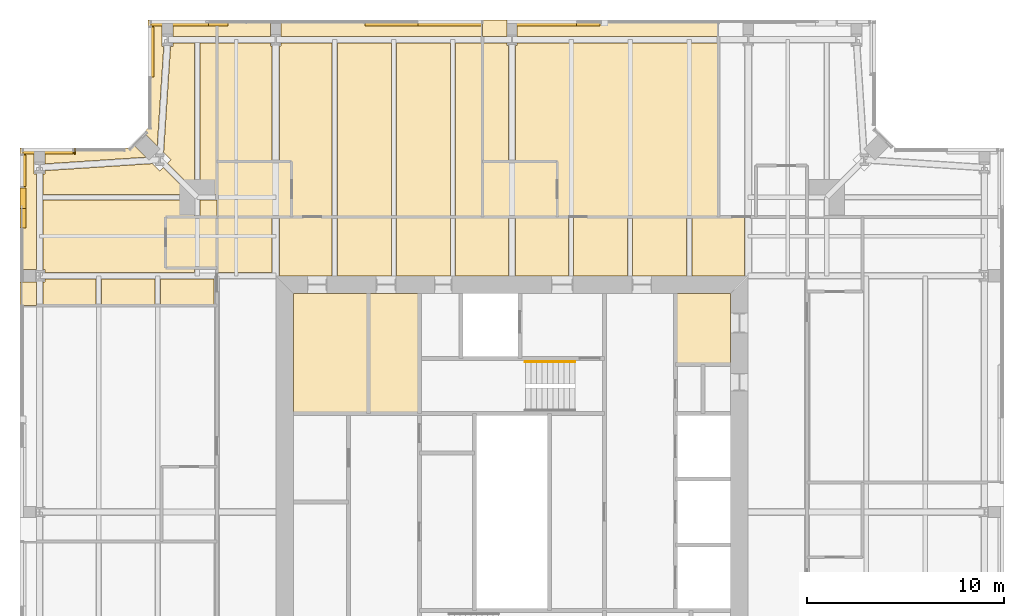
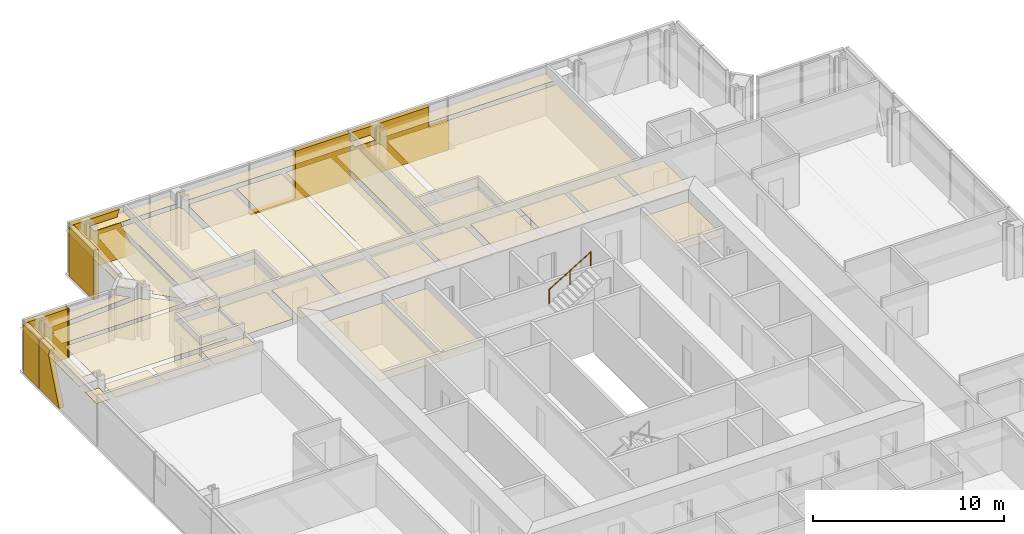
# One storey, part 18 of 20: 47 coverings, 1 railing.
"""IFC4 building model written with IfcOpenShell, lengths in metres."""

from ifc_helpers import new_model, si_unit, direction, frame, origin, origin_2d, place, context, subcontext, project, spatial, polyline, circle, outline, extrude, material, layer, layer_set, type_object, element, save


model = new_model("IFC4")

# Units and contexts
model_context = context("Model", 3, precision=1e-05, world=origin(), true_north=direction((0.0, 1.0)))
body_context = subcontext(model_context, "Body", "Model", "MODEL_VIEW")
ifc_project = project(units=[si_unit("LENGTHUNIT", "METRE"), si_unit("AREAUNIT", "SQUARE_METRE"), si_unit("VOLUMEUNIT", "CUBIC_METRE"), si_unit("PLANEANGLEUNIT", "RADIAN"), si_unit("MASSUNIT", "GRAM", prefix="KILO")], contexts=[model_context])

# Site, building, storey
site_placement = place(None, origin())
site = spatial("IfcSite", under=ifc_project, at=site_placement, CompositionType="ELEMENT")
building_placement = place(site_placement, origin())
building = spatial("IfcBuilding", under=site, at=building_placement, Name="Fenwick Lantern Interchange", CompositionType="ELEMENT")
storey_placement = place(building_placement, frame((0.0, 0.0, 279.800048828125)))
storey = spatial("IfcBuildingStorey", under=building, at=storey_placement, Name="L67", CompositionType="ELEMENT", Elevation=279.800048828125)

# Coverings
ifc_material_1 = material(Name="Granite cladding, warm grey flamed finish, on aluminium carrier frame", Category="masonry")
ifc_layer_1 = layer(ifc_material_1, 0.300048828125)
ifc_layer_set_1 = layer_set([ifc_layer_1], Name="BRACE CASING PANEL 300")
covering_type_1 = type_object("IfcCoveringType", Name="BRACE CASING PANEL 300", PredefinedType="CLADDING", material=ifc_layer_set_1)
covering_1_placement = place(storey_placement, frame((43.39990234375, 49.89990234375, 0.0), z_axis=(0.0, 0.0, 1.0), x_axis=(-1.0, 0.0, 0.0)))
element("IfcCovering", 1, at=covering_1_placement, inside=storey, type_object=covering_type_1, Name="Brace casing 09 bay 03a", PredefinedType="CLADDING", context=body_context, shape_type="SweptSolid", body=[
    extrude(outline(polyline([(13.929931640625, 0.0), (19.8701171875, 0.0), (19.8701171875, 3.14990234375), (15.1201171875, 3.14990234375), (15.1201171875, 1.797119140625), (13.929931640625, 1.797119140625), (13.929931640625, 0.0)])), frame((0.0, 0.2099609375, 0.0), z_axis=(0.0, -1.0, 0.0), x_axis=(1.0, 0.0, 0.0)), (0.0, 0.0, 1.0), 0.300048828125),
])
covering_2_placement = place(storey_placement, frame((43.39990234375, 49.89990234375, 0.0), z_axis=(0.0, 0.0, 1.0), x_axis=(-1.0, 0.0, 0.0)))
element("IfcCovering", 2, at=covering_2_placement, inside=storey, type_object=covering_type_1, Name="Brace casing 09 bay 04a", PredefinedType="CLADDING", context=body_context, shape_type="SweptSolid", body=[
    extrude(outline(polyline([(19.929931640625, 0.0), (25.8701171875, 0.0), (25.8701171875, 0.09765625), (23.179443359375, 0.09765625), (23.179443359375, 3.14990234375), (19.929931640625, 3.14990234375), (19.929931640625, 0.0)])), frame((0.0, 0.2099609375, 0.0), z_axis=(0.0, -1.0, 0.0), x_axis=(1.0, 0.0, 0.0)), (0.0, 0.0, 1.0), 0.300048828125),
])
covering_3_placement = place(storey_placement, frame((43.39990234375, 49.89990234375, 0.0), z_axis=(0.0, 0.0, 1.0), x_axis=(-1.0, 0.0, 0.0)))
element("IfcCovering", 3, at=covering_3_placement, inside=storey, type_object=covering_type_1, Name="Brace casing 09 bay 06a", PredefinedType="CLADDING", context=body_context, shape_type="SweptSolid", body=[
    extrude(outline(polyline([(32.828369140625, 0.0), (36.739990234375, 0.0), (36.739990234375, 3.14990234375), (33.810791015625, 3.14990234375), (33.957275390625, 2.791015625), (32.828369140625, 0.0)])), frame((0.0, 0.2099609375, 0.0), z_axis=(0.0, -1.0, 0.0), x_axis=(1.0, 0.0, 0.0)), (0.0, 0.0, 1.0), 0.300048828125),
])
covering_4_placement = place(storey_placement, frame((6.60009765625, 49.89990234375, 0.0), z_axis=(0.0, 0.0, 1.0), x_axis=(0.0, -1.0, 0.0)))
element("IfcCovering", 4, at=covering_4_placement, inside=storey, type_object=covering_type_1, Name="Brace casing 10 bay 00a", PredefinedType="CLADDING", context=body_context, shape_type="SweptSolid", body=[
    extrude(outline(polyline([(0.260009765625, 0.0), (2.790771484375, 0.0), (2.790771484375, 3.14990234375), (0.260009765625, 3.14990234375), (0.260009765625, 0.0)])), frame((0.0, 0.2099609375, 0.0), z_axis=(0.0, -1.0, 0.0), x_axis=(1.0, 0.0, 0.0)), (0.0, 0.0, 1.0), 0.300048828125),
])
covering_5_placement = place(storey_placement, frame((5.54150390625, 43.39990234375, 0.0), z_axis=(0.0, 0.0, 1.0), x_axis=(-1.0, 0.0, 0.0)))
element("IfcCovering", 5, at=covering_5_placement, inside=storey, type_object=covering_type_1, Name="Brace casing 12 bay 00a", PredefinedType="CLADDING", context=body_context, shape_type="SweptSolid", body=[
    extrude(outline(polyline([(2.741455078125, 0.0), (2.790771484375, 0.0), (2.790771484375, 3.14990234375), (2.741455078125, 3.14990234375), (2.741455078125, 0.0)])), frame((0.0, 0.2099609375, 0.0), z_axis=(0.0, -1.0, 0.0), x_axis=(1.0, 0.0, 0.0)), (0.0, 0.0, 1.0), 0.300048828125),
])
covering_6_placement = place(storey_placement, frame((5.54150390625, 43.39990234375, 0.0), z_axis=(0.0, 0.0, 1.0), x_axis=(-1.0, 0.0, 0.0)))
element("IfcCovering", 6, at=covering_6_placement, inside=storey, type_object=covering_type_1, Name="Brace casing 12 bay 01a", PredefinedType="CLADDING", context=body_context, shape_type="SweptSolid", body=[
    extrude(outline(polyline([(2.850830078125, 0.0), (5.38134765625, 0.0), (5.38134765625, 3.14990234375), (2.850830078125, 3.14990234375), (2.850830078125, 0.0)])), frame((0.0, 0.2099609375, 0.0), z_axis=(0.0, -1.0, 0.0), x_axis=(1.0, 0.0, 0.0)), (0.0, 0.0, 1.0), 0.300048828125),
])
covering_7_placement = place(storey_placement, frame((0.10009765625, 43.39990234375, 0.0), z_axis=(0.0, 0.0, 1.0), x_axis=(0.0, -1.0, 0.0)))
element("IfcCovering", 7, at=covering_7_placement, inside=storey, type_object=covering_type_1, Name="Brace casing 13 bay 00a", PredefinedType="CLADDING", context=body_context, shape_type="SweptSolid", body=[
    extrude(outline(polyline([(0.260009765625, 0.0), (1.8701171875, 0.0), (1.8701171875, 3.14990234375), (0.260009765625, 3.14990234375), (0.260009765625, 0.0)])), frame((0.0, 0.2099609375, 0.0), z_axis=(0.0, -1.0, 0.0), x_axis=(1.0, 0.0, 0.0)), (0.0, 0.0, 1.0), 0.300048828125),
])
covering_8_placement = place(storey_placement, frame((0.10009765625, 43.39990234375, 0.0), z_axis=(0.0, 0.0, 1.0), x_axis=(0.0, -1.0, 0.0)))
element("IfcCovering", 8, at=covering_8_placement, inside=storey, type_object=covering_type_1, Name="Brace casing 13 bay 01a", PredefinedType="CLADDING", context=body_context, shape_type="SweptSolid", body=[
    extrude(outline(polyline([(1.929931640625, 0.0), (3.971435546875, 0.0), (2.8427734375, 2.791015625), (2.9892578125, 3.14990234375), (1.929931640625, 3.14990234375), (1.929931640625, 0.0)])), frame((0.0, 0.2099609375, 0.0), z_axis=(0.0, -1.0, 0.0), x_axis=(1.0, 0.0, 0.0)), (0.0, 0.0, 1.0), 0.300048828125),
])

# Railing
ifc_material_2 = material(Name="Stainless steel handrail", Category="steel")
railing_type = type_object("IfcRailingType", Name="HANDRAIL 900", PredefinedType="HANDRAIL", material=ifc_material_2)
railing_placement = place(storey_placement, frame((25.679931640625, 32.6259765625, 1.869873046875)))
element("IfcRailing", 9, at=railing_placement, inside=storey, type_object=railing_type, Name="L67/STAIR/ST2/HR2", PredefinedType="HANDRAIL", context=body_context, shape_type="SweptSolid", body=[
    extrude(circle(Radius=0.02392578125, at=origin_2d()), frame((0.0, 0.0, 0.8759765625), z_axis=(0.85478489116, 0.0, 0.518982456201), x_axis=(0.0, 1.0, 0.0)), (0.0, 0.0, 1.0), 2.9482421875),
    extrude(circle(Radius=0.02099609375, at=origin_2d()), origin(), (0.0, 0.0, 1.0), 0.851806640625),
    extrude(circle(Radius=0.02099609375, at=origin_2d()), frame((1.260009765625, 0.0, 0.76513671875)), (0.0, 0.0, 1.0), 0.851806640625),
    extrude(circle(Radius=0.02099609375, at=origin_2d()), frame((2.52001953125, 0.0, 1.530029296875)), (0.0, 0.0, 1.0), 0.851806640625),
])

# Coverings
ifc_material_3 = material(Name="Moisture resistant gypsum board on suspended frame, painted")
ifc_layer_2 = layer(ifc_material_3, 0.014892578125)
ifc_layer_set_2 = layer_set([ifc_layer_2], Name="MOISTURE RESISTANT CEILING 15")
covering_type_2 = type_object("IfcCoveringType", Name="MOISTURE RESISTANT CEILING 15", PredefinedType="CEILING", material=ifc_layer_set_2)
covering_9_placement = place(storey_placement, frame((0.0, 0.0, 2.599853515625)))
element("IfcCovering", 10, at=covering_9_placement, inside=storey, type_object=covering_type_2, Name="Men's WC ceiling", PredefinedType="CEILING", context=body_context, shape_type="SweptSolid", body=[
    extrude(outline(polyline([(20.300048828125, 36.10009765625), (17.699951171875, 36.10009765625), (17.699951171875, 30.0), (20.300048828125, 30.0), (20.300048828125, 36.10009765625)])), origin(), (0.0, 0.0, 1.0), 0.01513671875),
])
covering_10_placement = place(storey_placement, frame((0.0, 0.0, 2.599853515625)))
element("IfcCovering", 11, at=covering_10_placement, inside=storey, type_object=covering_type_2, Name="Women's WC ceiling", PredefinedType="CEILING", context=body_context, shape_type="SweptSolid", body=[
    extrude(outline(polyline([(17.699951171875, 36.10009765625), (13.89990234375, 36.10009765625), (13.89990234375, 30.0), (17.699951171875, 30.0), (17.699951171875, 36.10009765625)])), origin(), (0.0, 0.0, 1.0), 0.01513671875),
])
covering_11_placement = place(storey_placement, frame((0.0, 0.0, 2.599853515625)))
element("IfcCovering", 12, at=covering_11_placement, inside=storey, type_object=covering_type_2, Name="Accessible WC and shower ceiling", PredefinedType="CEILING", context=body_context, shape_type="SweptSolid", body=[
    extrude(outline(polyline([(36.10009765625, 36.10009765625), (33.300048828125, 36.10009765625), (33.300048828125, 32.5), (36.10009765625, 32.5), (36.10009765625, 36.10009765625)])), origin(), (0.0, 0.0, 1.0), 0.01513671875),
])
covering_12_placement = place(storey_placement, frame((0.0, 0.0, 2.39990234375)))
element("IfcCovering", 13, at=covering_12_placement, inside=storey, type_object=covering_type_2, Name="En-suite 6709 ceiling", PredefinedType="CEILING", context=body_context, shape_type="SweptSolid", body=[
    extrude(outline(polyline([(27.300048828125, 42.800048828125), (23.5, 42.800048828125), (23.5, 40.0), (27.300048828125, 40.0), (27.300048828125, 42.800048828125)])), origin(), (0.0, 0.0, 1.0), 0.01513671875),
])
covering_13_placement = place(storey_placement, frame((0.0, 0.0, 2.39990234375)))
element("IfcCovering", 14, at=covering_13_placement, inside=storey, type_object=covering_type_2, Name="En-suite 6710 ceiling", PredefinedType="CEILING", context=body_context, shape_type="SweptSolid", body=[
    extrude(outline(polyline([(13.800048828125, 42.800048828125), (10.0, 42.800048828125), (10.0, 40.0), (13.800048828125, 40.0), (13.800048828125, 42.800048828125)])), origin(), (0.0, 0.0, 1.0), 0.01513671875),
])
covering_14_placement = place(storey_placement, frame((0.0, 0.0, 2.39990234375)))
element("IfcCovering", 15, at=covering_14_placement, inside=storey, type_object=covering_type_2, Name="En-suite 6711 ceiling", PredefinedType="CEILING", context=body_context, shape_type="SweptSolid", body=[
    extrude(outline(polyline([(7.39990234375, 40.0), (7.39990234375, 37.39990234375), (10.0, 37.39990234375), (10.0, 40.0), (7.39990234375, 40.0)])), origin(), (0.0, 0.0, 1.0), 0.01513671875),
])
ifc_material_4 = material(Name="Gypsum plasterboard on suspended frame, painted")
ifc_layer_3 = layer(ifc_material_4, 0.014892578125)
ifc_layer_set_3 = layer_set([ifc_layer_3], Name="PLASTERBOARD CEILING 15")
covering_type_3 = type_object("IfcCoveringType", Name="PLASTERBOARD CEILING 15", PredefinedType="CEILING", material=ifc_layer_set_3)
covering_15_placement = place(storey_placement, frame((0.0, 0.0, 2.599853515625)))
element("IfcCovering", 16, at=covering_15_placement, inside=storey, type_object=covering_type_3, Name="Corridor ceiling", PredefinedType="CEILING", context=body_context, shape_type="SweptSolid", body=[
    extrude(outline(polyline([(18.865478515625, 40.0), (16.134521484375, 40.0), (16.134521484375, 37.0), (18.865478515625, 37.0), (18.865478515625, 40.0)])), origin(), (0.0, 0.0, 1.0), 0.01513671875),
])
covering_16_placement = place(storey_placement, frame((0.0, 0.0, 2.599853515625)))
element("IfcCovering", 17, at=covering_16_placement, inside=storey, type_object=covering_type_3, Name="Corridor ceiling", PredefinedType="CEILING", context=body_context, shape_type="SweptSolid", body=[
    extrude(outline(polyline([(21.865478515625, 40.0), (19.134521484375, 40.0), (19.134521484375, 37.0), (21.865478515625, 37.0), (21.865478515625, 40.0)])), origin(), (0.0, 0.0, 1.0), 0.01513671875),
])
covering_17_placement = place(storey_placement, frame((0.0, 0.0, 2.599853515625)))
element("IfcCovering", 18, at=covering_17_placement, inside=storey, type_object=covering_type_3, Name="Corridor ceiling", PredefinedType="CEILING", context=body_context, shape_type="SweptSolid", body=[
    extrude(outline(polyline([(30.865478515625, 40.0), (28.134521484375, 40.0), (28.134521484375, 37.0), (30.865478515625, 37.0), (30.865478515625, 40.0)])), origin(), (0.0, 0.0, 1.0), 0.01513671875),
])
covering_18_placement = place(storey_placement, frame((0.0, 0.0, 2.599853515625)))
element("IfcCovering", 19, at=covering_18_placement, inside=storey, type_object=covering_type_3, Name="Corridor ceiling", PredefinedType="CEILING", context=body_context, shape_type="SweptSolid", body=[
    extrude(outline(polyline([(33.865478515625, 40.0), (31.134521484375, 40.0), (31.134521484375, 37.0), (33.865478515625, 37.0), (33.865478515625, 40.0)])), origin(), (0.0, 0.0, 1.0), 0.01513671875),
])
covering_19_placement = place(storey_placement, frame((0.0, 0.0, 2.599853515625)))
element("IfcCovering", 20, at=covering_19_placement, inside=storey, type_object=covering_type_3, Name="Corridor ceiling", PredefinedType="CEILING", context=body_context, shape_type="SweptSolid", body=[
    extrude(outline(polyline([(15.865478515625, 40.0), (13.183837890625, 40.0), (13.183837890625, 37.0), (15.865478515625, 37.0), (15.865478515625, 40.0)])), origin(), (0.0, 0.0, 1.0), 0.01513671875),
])
covering_20_placement = place(storey_placement, frame((0.0, 0.0, 2.599853515625)))
element("IfcCovering", 21, at=covering_20_placement, inside=storey, type_object=covering_type_3, Name="Corridor ceiling", PredefinedType="CEILING", context=body_context, shape_type="SweptSolid", body=[
    extrude(outline(polyline([(24.816162109375, 40.0), (22.134521484375, 40.0), (22.134521484375, 37.0), (24.816162109375, 37.0), (24.816162109375, 40.0)])), origin(), (0.0, 0.0, 1.0), 0.01513671875),
])
covering_21_placement = place(storey_placement, frame((0.0, 0.0, 2.599853515625)))
element("IfcCovering", 22, at=covering_21_placement, inside=storey, type_object=covering_type_3, Name="Corridor ceiling", PredefinedType="CEILING", context=body_context, shape_type="SweptSolid", body=[
    extrude(outline(polyline([(27.865478515625, 40.0), (25.183837890625, 40.0), (25.183837890625, 37.0), (27.865478515625, 37.0), (27.865478515625, 40.0)])), origin(), (0.0, 0.0, 1.0), 0.01513671875),
])
covering_22_placement = place(storey_placement, frame((0.0, 0.0, 2.599853515625)))
element("IfcCovering", 23, at=covering_22_placement, inside=storey, type_object=covering_type_3, Name="Corridor ceiling", PredefinedType="CEILING", context=body_context, shape_type="SweptSolid", body=[
    extrude(outline(polyline([(36.816162109375, 40.0), (34.134521484375, 40.0), (34.134521484375, 37.0), (36.816162109375, 37.0), (36.816162109375, 40.0)])), origin(), (0.0, 0.0, 1.0), 0.01513671875),
])
covering_23_placement = place(storey_placement, frame((0.0, 0.0, 2.599853515625)))
element("IfcCovering", 24, at=covering_23_placement, inside=storey, type_object=covering_type_3, Name="Corridor ceiling", PredefinedType="CEILING", context=body_context, shape_type="SweptSolid", body=[
    extrude(outline(polyline([(12.816162109375, 40.0), (10.0, 40.0), (10.0, 37.166015625), (12.816162109375, 37.166015625), (12.816162109375, 40.0)])), origin(), (0.0, 0.0, 1.0), 0.01513671875),
])
covering_24_placement = place(storey_placement, frame((0.0, 0.0, 2.57275390625)))
element("IfcCovering", 25, at=covering_24_placement, inside=storey, type_object=covering_type_3, Name="Guest suite 6709 ceiling", PredefinedType="CEILING", context=body_context, shape_type="SweptSolid", body=[
    extrude(outline(polyline([(25.26220703125, 48.71240234375), (25.183837890625, 48.71240234375), (25.183837890625, 42.800048828125), (27.300048828125, 42.800048828125), (27.300048828125, 40.0), (35.5, 40.0), (35.5, 48.82763671875), (25.26220703125, 48.82763671875), (25.26220703125, 48.71240234375)])), origin(), (0.0, 0.0, 1.0), 0.01513671875),
])
covering_25_placement = place(storey_placement, frame((0.0, 0.0, 2.57275390625)))
element("IfcCovering", 26, at=covering_25_placement, inside=storey, type_object=covering_type_3, Name="Guest suite 6709 ceiling", PredefinedType="CEILING", context=body_context, shape_type="SweptSolid", body=[
    extrude(outline(polyline([(25.26220703125, 50.0), (25.26220703125, 49.17236328125), (35.5, 49.17236328125), (35.5, 50.0), (25.26220703125, 50.0)])), origin(), (0.0, 0.0, 1.0), 0.01513671875),
])
covering_26_placement = place(storey_placement, frame((0.0, 0.0, 2.57275390625)))
element("IfcCovering", 27, at=covering_26_placement, inside=storey, type_object=covering_type_3, Name="Guest suite 6709 ceiling", PredefinedType="CEILING", context=body_context, shape_type="SweptSolid", body=[
    extrude(outline(polyline([(24.73779296875, 48.71240234375), (24.73779296875, 48.82763671875), (23.5, 48.82763671875), (23.5, 42.800048828125), (24.816162109375, 42.800048828125), (24.816162109375, 48.71240234375), (24.73779296875, 48.71240234375)])), origin(), (0.0, 0.0, 1.0), 0.01513671875),
])
covering_27_placement = place(storey_placement, frame((0.0, 0.0, 2.57275390625)))
element("IfcCovering", 28, at=covering_27_placement, inside=storey, type_object=covering_type_3, Name="Guest suite 6709 ceiling", PredefinedType="CEILING", context=body_context, shape_type="SweptSolid", body=[
    extrude(outline(polyline([(24.73779296875, 49.17236328125), (24.73779296875, 50.0), (23.5, 50.0), (23.5, 49.17236328125), (24.73779296875, 49.17236328125)])), origin(), (0.0, 0.0, 1.0), 0.01513671875),
])
covering_28_placement = place(storey_placement, frame((0.0, 0.0, 2.699951171875)))
element("IfcCovering", 29, at=covering_28_placement, inside=storey, type_object=covering_type_3, Name="Guest suite 6710 ceiling", PredefinedType="CEILING", context=body_context, shape_type="SweptSolid", body=[
    extrude(outline(polyline([(16.134521484375, 40.0), (18.865478515625, 40.0), (18.865478515625, 48.82763671875), (16.134521484375, 48.82763671875), (16.134521484375, 40.0)])), origin(), (0.0, 0.0, 1.0), 0.014892578125),
])
covering_29_placement = place(storey_placement, frame((0.0, 0.0, 2.699951171875)))
element("IfcCovering", 30, at=covering_29_placement, inside=storey, type_object=covering_type_3, Name="Guest suite 6710 ceiling", PredefinedType="CEILING", context=body_context, shape_type="SweptSolid", body=[
    extrude(outline(polyline([(19.134521484375, 40.0), (21.865478515625, 40.0), (21.865478515625, 48.82763671875), (19.134521484375, 48.82763671875), (19.134521484375, 40.0)])), origin(), (0.0, 0.0, 1.0), 0.014892578125),
])
covering_30_placement = place(storey_placement, frame((0.0, 0.0, 2.699951171875)))
element("IfcCovering", 31, at=covering_30_placement, inside=storey, type_object=covering_type_3, Name="Guest suite 6710 ceiling", PredefinedType="CEILING", context=body_context, shape_type="SweptSolid", body=[
    extrude(outline(polyline([(13.27099609375, 48.6845703125), (13.183837890625, 48.6845703125), (13.183837890625, 42.800048828125), (13.800048828125, 42.800048828125), (13.800048828125, 40.0), (15.865478515625, 40.0), (15.865478515625, 48.82763671875), (13.27099609375, 48.82763671875), (13.27099609375, 48.6845703125)])), origin(), (0.0, 0.0, 1.0), 0.014892578125),
])
covering_31_placement = place(storey_placement, frame((0.0, 0.0, 2.699951171875)))
element("IfcCovering", 32, at=covering_31_placement, inside=storey, type_object=covering_type_3, Name="Guest suite 6710 ceiling", PredefinedType="CEILING", context=body_context, shape_type="SweptSolid", body=[
    extrude(outline(polyline([(12.72900390625, 48.6845703125), (12.72900390625, 48.82763671875), (10.0, 48.82763671875), (10.0, 42.800048828125), (12.816162109375, 42.800048828125), (12.816162109375, 48.6845703125), (12.72900390625, 48.6845703125)])), origin(), (0.0, 0.0, 1.0), 0.014892578125),
])
covering_32_placement = place(storey_placement, frame((0.0, 0.0, 2.699951171875)))
element("IfcCovering", 33, at=covering_32_placement, inside=storey, type_object=covering_type_3, Name="Guest suite 6710 ceiling", PredefinedType="CEILING", context=body_context, shape_type="SweptSolid", body=[
    extrude(outline(polyline([(23.5, 40.0), (23.5, 48.82763671875), (22.134521484375, 48.82763671875), (22.134521484375, 40.0), (23.5, 40.0)])), origin(), (0.0, 0.0, 1.0), 0.014892578125),
])
covering_33_placement = place(storey_placement, frame((0.0, 0.0, 2.699951171875)))
element("IfcCovering", 34, at=covering_33_placement, inside=storey, type_object=covering_type_3, Name="Guest suite 6710 ceiling", PredefinedType="CEILING", context=body_context, shape_type="SweptSolid", body=[
    extrude(outline(polyline([(13.27099609375, 50.0), (13.27099609375, 49.17236328125), (23.5, 49.17236328125), (23.5, 50.0), (13.27099609375, 50.0)])), origin(), (0.0, 0.0, 1.0), 0.014892578125),
])
covering_34_placement = place(storey_placement, frame((0.0, 0.0, 2.699951171875)))
element("IfcCovering", 35, at=covering_34_placement, inside=storey, type_object=covering_type_3, Name="Guest suite 6710 ceiling", PredefinedType="CEILING", context=body_context, shape_type="SweptSolid", body=[
    extrude(outline(polyline([(12.72900390625, 49.17236328125), (12.72900390625, 50.0), (10.0, 50.0), (10.0, 49.17236328125), (12.72900390625, 49.17236328125)])), origin(), (0.0, 0.0, 1.0), 0.014892578125),
])
covering_35_placement = place(storey_placement, frame((0.0, 0.0, 2.699951171875)))
element("IfcCovering", 36, at=covering_35_placement, inside=storey, type_object=covering_type_3, Name="Guest suite 6711 ceiling", PredefinedType="CEILING", context=body_context, shape_type="SweptSolid", body=[
    extrude(outline(polyline([(7.39990234375, 40.0), (8.865478515625, 40.0), (8.865478515625, 40.865478515625), (1.17236328125, 40.865478515625), (1.17236328125, 37.3154296875), (1.27099609375, 37.3154296875), (1.27099609375, 37.166015625), (8.865478515625, 37.166015625), (8.865478515625, 37.39990234375), (7.39990234375, 37.39990234375), (7.39990234375, 40.0)])), origin(), (0.0, 0.0, 1.0), 0.014892578125),
])
covering_36_placement = place(storey_placement, frame((0.0, 0.0, 2.699951171875)))
element("IfcCovering", 37, at=covering_36_placement, inside=storey, type_object=covering_type_3, Name="Guest suite 6711 ceiling", PredefinedType="CEILING", context=body_context, shape_type="SweptSolid", body=[
    extrude(outline(polyline([(1.27734375, 42.16552734375), (1.17236328125, 42.16552734375), (1.17236328125, 41.134521484375), (8.648681640625, 41.134521484375), (7.28271484375, 42.500244140625), (7.10009765625, 42.3173828125), (6.715576171875, 42.701904296875), (1.27734375, 42.345458984375), (1.27734375, 42.16552734375)])), origin(), (0.0, 0.0, 1.0), 0.014892578125),
])
covering_37_placement = place(storey_placement, frame((0.0, 0.0, 2.699951171875)))
element("IfcCovering", 38, at=covering_37_placement, inside=storey, type_object=covering_type_3, Name="Guest suite 6711 ceiling", PredefinedType="CEILING", context=body_context, shape_type="SweptSolid", body=[
    extrude(outline(polyline([(7.77734375, 48.66552734375), (7.65087890625, 48.66552734375), (7.298095703125, 43.284423828125), (7.6826171875, 42.89990234375), (7.499755859375, 42.71728515625), (8.865478515625, 41.351318359375), (8.865478515625, 48.82763671875), (7.77734375, 48.82763671875), (7.77734375, 48.66552734375)])), origin(), (0.0, 0.0, 1.0), 0.014892578125),
])
covering_38_placement = place(storey_placement, frame((0.0, 0.0, 2.699951171875)))
element("IfcCovering", 39, at=covering_38_placement, inside=storey, type_object=covering_type_3, Name="Guest suite 6711 ceiling", PredefinedType="CEILING", context=body_context, shape_type="SweptSolid", body=[
    extrude(outline(polyline([(10.0, 41.134521484375), (10.0, 48.82763671875), (9.134521484375, 48.82763671875), (9.134521484375, 41.134521484375), (10.0, 41.134521484375)])), origin(), (0.0, 0.0, 1.0), 0.014892578125),
])
covering_39_placement = place(storey_placement, frame((0.0, 0.0, 2.699951171875)))
element("IfcCovering", 40, at=covering_39_placement, inside=storey, type_object=covering_type_3, Name="Guest suite 6711 ceiling", PredefinedType="CEILING", context=body_context, shape_type="SweptSolid", body=[
    extrude(outline(polyline([(0.0, 37.3154296875), (0.82763671875, 37.3154296875), (0.82763671875, 42.16552734375), (0.72265625, 42.16552734375), (0.72265625, 43.5), (0.0, 43.5), (0.0, 37.3154296875)])), origin(), (0.0, 0.0, 1.0), 0.014892578125),
])
covering_40_placement = place(storey_placement, frame((0.0, 0.0, 2.699951171875)))
element("IfcCovering", 41, at=covering_40_placement, inside=storey, type_object=covering_type_3, Name="Guest suite 6711 ceiling", PredefinedType="CEILING", context=body_context, shape_type="SweptSolid", body=[
    extrude(outline(polyline([(7.30517578125, 48.66552734375), (7.22265625, 48.66552734375), (7.22265625, 50.0), (6.5, 50.0), (6.5, 44.5), (6.291259765625, 44.291259765625), (6.9736328125, 43.60888671875), (7.30517578125, 48.66552734375)])), origin(), (0.0, 0.0, 1.0), 0.014892578125),
])
covering_41_placement = place(storey_placement, frame((0.0, 0.0, 2.699951171875)))
element("IfcCovering", 42, at=covering_41_placement, inside=storey, type_object=covering_type_3, Name="Guest suite 6711 ceiling", PredefinedType="CEILING", context=body_context, shape_type="SweptSolid", body=[
    extrude(outline(polyline([(4.134521484375, 35.5), (6.865478515625, 35.5), (6.865478515625, 36.833984375), (4.134521484375, 36.833984375), (4.134521484375, 35.5)])), origin(), (0.0, 0.0, 1.0), 0.014892578125),
])
covering_42_placement = place(storey_placement, frame((0.0, 0.0, 2.699951171875)))
element("IfcCovering", 43, at=covering_42_placement, inside=storey, type_object=covering_type_3, Name="Guest suite 6711 ceiling", PredefinedType="CEILING", context=body_context, shape_type="SweptSolid", body=[
    extrude(outline(polyline([(7.134521484375, 35.5), (9.865478515625, 35.5), (9.865478515625, 36.833984375), (7.134521484375, 36.833984375), (7.134521484375, 35.5)])), origin(), (0.0, 0.0, 1.0), 0.014892578125),
])
covering_43_placement = place(storey_placement, frame((0.0, 0.0, 2.699951171875)))
element("IfcCovering", 44, at=covering_43_placement, inside=storey, type_object=covering_type_3, Name="Guest suite 6711 ceiling", PredefinedType="CEILING", context=body_context, shape_type="SweptSolid", body=[
    extrude(outline(polyline([(1.17236328125, 35.5), (3.865478515625, 35.5), (3.865478515625, 36.833984375), (1.27099609375, 36.833984375), (1.27099609375, 36.6845703125), (1.17236328125, 36.6845703125), (1.17236328125, 35.5)])), origin(), (0.0, 0.0, 1.0), 0.014892578125),
])
covering_44_placement = place(storey_placement, frame((0.0, 0.0, 2.699951171875)))
element("IfcCovering", 45, at=covering_44_placement, inside=storey, type_object=covering_type_3, Name="Guest suite 6711 ceiling", PredefinedType="CEILING", context=body_context, shape_type="SweptSolid", body=[
    extrude(outline(polyline([(1.27734375, 43.5), (1.27734375, 42.69091796875), (6.39111328125, 43.0263671875), (5.708740234375, 43.708740234375), (5.5, 43.5), (1.27734375, 43.5)])), origin(), (0.0, 0.0, 1.0), 0.014892578125),
])
covering_45_placement = place(storey_placement, frame((0.0, 0.0, 2.699951171875)))
element("IfcCovering", 46, at=covering_45_placement, inside=storey, type_object=covering_type_3, Name="Guest suite 6711 ceiling", PredefinedType="CEILING", context=body_context, shape_type="SweptSolid", body=[
    extrude(outline(polyline([(7.77734375, 50.0), (7.77734375, 49.17236328125), (10.0, 49.17236328125), (10.0, 50.0), (7.77734375, 50.0)])), origin(), (0.0, 0.0, 1.0), 0.014892578125),
])
covering_46_placement = place(storey_placement, frame((0.0, 0.0, 2.699951171875)))
element("IfcCovering", 47, at=covering_46_placement, inside=storey, type_object=covering_type_3, Name="Guest suite 6711 ceiling", PredefinedType="CEILING", context=body_context, shape_type="SweptSolid", body=[
    extrude(outline(polyline([(0.0, 35.5), (0.82763671875, 35.5), (0.82763671875, 36.6845703125), (0.0, 36.6845703125), (0.0, 35.5)])), origin(), (0.0, 0.0, 1.0), 0.014892578125),
])
covering_47_placement = place(storey_placement, frame((0.0, 0.0, 2.699951171875)))
element("IfcCovering", 48, at=covering_47_placement, inside=storey, type_object=covering_type_3, Name="Guest suite 6711 ceiling", PredefinedType="CEILING", context=body_context, shape_type="SweptSolid", body=[
    extrude(outline(polyline([(10.0, 40.0), (10.0, 40.865478515625), (9.134521484375, 40.865478515625), (9.134521484375, 40.0), (10.0, 40.0)])), origin(), (0.0, 0.0, 1.0), 0.014892578125),
])

save(model, "model.ifc")
